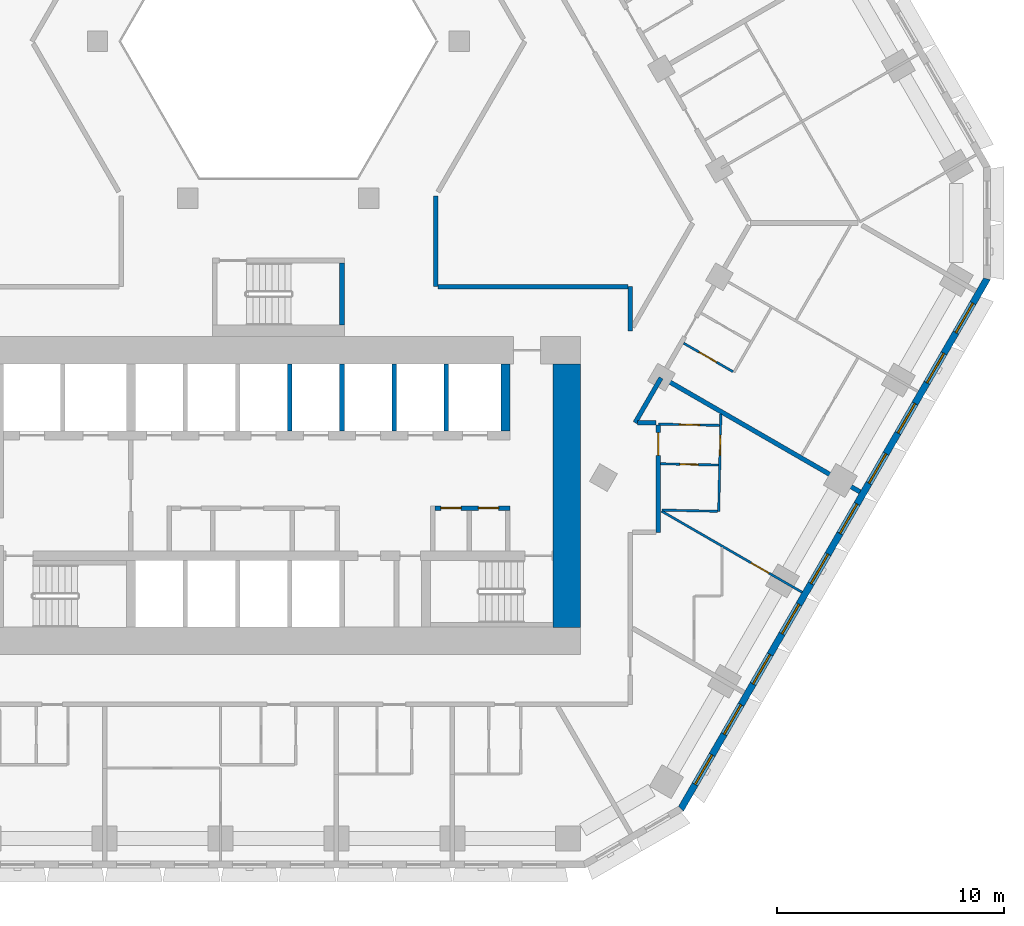
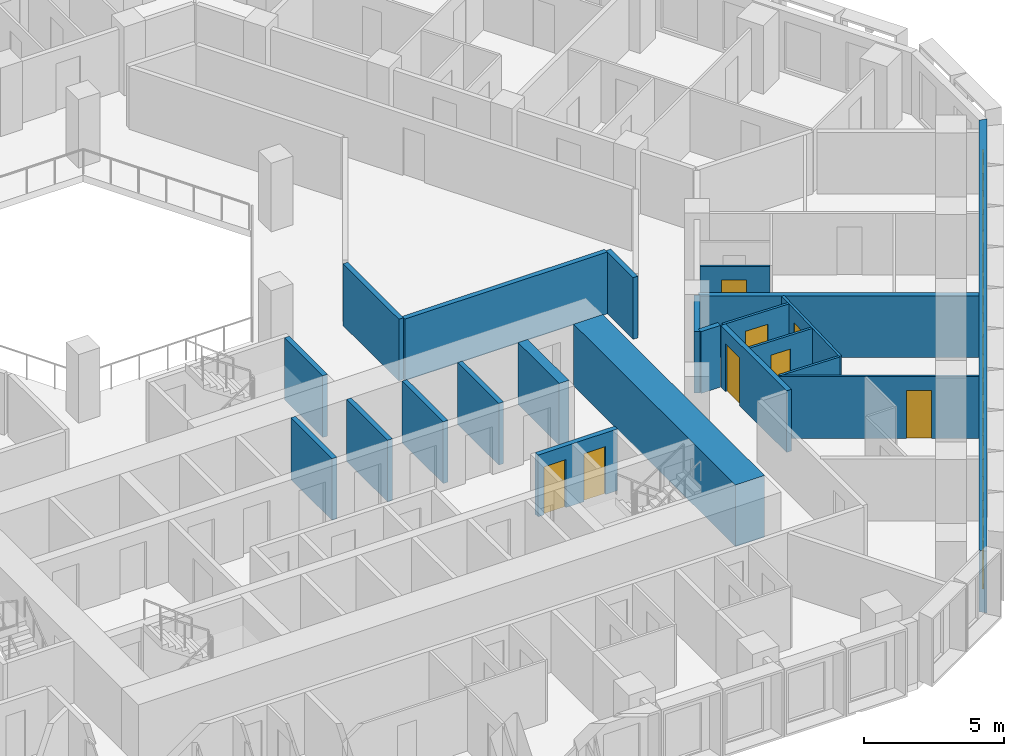
# One storey, part 7 of 21: 22 walls, 10 windows, 8 doors, 18 openings.
"""IFC4 building model written with IfcOpenShell, lengths in metres."""

from ifc_helpers import new_model, si_unit, direction, frame, frame_2d, origin, place, context, subcontext, project, spatial, polyline, rectangle, outline, extrude, material, layer, layer_set, type_object, element, fill, save


model = new_model("IFC4")

# Units and contexts
model_context = context("Model", 3, precision=1e-05, world=origin(), true_north=direction((0.0, 1.0)))
body_context = subcontext(model_context, "Body", "Model", "MODEL_VIEW")
ifc_project = project(units=[si_unit("LENGTHUNIT", "METRE"), si_unit("AREAUNIT", "SQUARE_METRE"), si_unit("VOLUMEUNIT", "CUBIC_METRE"), si_unit("PLANEANGLEUNIT", "RADIAN"), si_unit("MASSUNIT", "GRAM", prefix="KILO")], contexts=[model_context])

# Site, building, storey
site_placement = place(None, origin())
site = spatial("IfcSite", under=ifc_project, at=site_placement, CompositionType="ELEMENT")
building_placement = place(site_placement, origin())
building = spatial("IfcBuilding", under=site, at=building_placement, Name="Beryl Residences", CompositionType="ELEMENT")
storey_placement = place(building_placement, frame((0.0, 0.0, 29.39990234375)))
storey = spatial("IfcBuildingStorey", under=building, at=storey_placement, Name="L08", CompositionType="ELEMENT", Elevation=29.39990234375)

# Wall, openings, windows
ifc_material_1 = material(Name="Composite metal panel with mineral wool insulation")
ifc_layer_1 = layer(ifc_material_1, 0.300048828125)
ifc_layer_set_1 = layer_set([ifc_layer_1], Name="ES1 pale metal composite panel wall 300 mm")
wall_type_1 = type_object("IfcWallType", Name="ES1 pale metal composite panel wall 300 mm", PredefinedType="SOLIDWALL", material=ifc_layer_set_1)
wall_1_placement = place(storey_placement, frame((17.7099609375, -25.824951171875, 0.0), z_axis=(0.0, 0.0, 1.0), x_axis=(0.500001938803, 0.866024284413, 0.0)))
wall_1 = element("IfcWall", 1, at=wall_1_placement, inside=storey, type_object=wall_type_1, Name="ES1 external wall L08 SE", PredefinedType="SOLIDWALL", context=body_context, shape_type="SweptSolid", body=[
    extrude(outline(polyline([(0.0, -0.14990234375), (27.02001953125, -0.14990234375), (26.939697265625, 0.14990234375), (0.080322265625, 0.14990234375), (0.0, -0.14990234375)])), origin(), (0.0, 0.0, 1.0), 2.7001953125),
])
opening_1_placement = place(wall_1_placement, frame((1.277099609375, 0.0, 0.14990234375)))
opening_1 = element("IfcOpeningElement", 2, at=opening_1_placement, cuts=wall_1, Name="Opening W1", PredefinedType="OPENING", context=body_context, shape_type="SweptSolid", body=[
    extrude(rectangle(XDim=1.5, YDim=2.10009765625, at=frame_2d((0.75, 1.050048828125))), frame((0.0, 0.159912109375, 0.0), z_axis=(0.0, -1.0, 0.0), x_axis=(1.0, 0.0, 0.0)), (0.0, 0.0, 1.0), 0.320068359375),
])
opening_2_placement = place(wall_1_placement, frame((3.8291015625, 0.0, 0.14990234375)))
opening_2 = element("IfcOpeningElement", 3, at=opening_2_placement, cuts=wall_1, Name="Opening W1", PredefinedType="OPENING", context=body_context, shape_type="SweptSolid", body=[
    extrude(rectangle(XDim=1.5, YDim=2.10009765625, at=frame_2d((0.75, 1.050048828125))), frame((0.0, 0.159912109375, 0.0), z_axis=(0.0, -1.0, 0.0), x_axis=(1.0, 0.0, 0.0)), (0.0, 0.0, 1.0), 0.320068359375),
])
opening_3_placement = place(wall_1_placement, frame((6.382080078125, 0.0, 0.14990234375)))
opening_3 = element("IfcOpeningElement", 4, at=opening_3_placement, cuts=wall_1, Name="Opening W1", PredefinedType="OPENING", context=body_context, shape_type="SweptSolid", body=[
    extrude(rectangle(XDim=1.5, YDim=2.10009765625, at=frame_2d((0.75, 1.050048828125))), frame((0.0, 0.159912109375, 0.0), z_axis=(0.0, -1.0, 0.0), x_axis=(1.0, 0.0, 0.0)), (0.0, 0.0, 1.0), 0.320068359375),
])
opening_4_placement = place(wall_1_placement, frame((8.93310546875, 0.0, 0.14990234375)))
opening_4 = element("IfcOpeningElement", 5, at=opening_4_placement, cuts=wall_1, Name="Opening W1", PredefinedType="OPENING", context=body_context, shape_type="SweptSolid", body=[
    extrude(rectangle(XDim=1.5, YDim=2.10009765625, at=frame_2d((0.75, 1.050048828125))), frame((0.0, 0.159912109375, 0.0), z_axis=(0.0, -1.0, 0.0), x_axis=(1.0, 0.0, 0.0)), (0.0, 0.0, 1.0), 0.320068359375),
])
opening_5_placement = place(wall_1_placement, frame((11.485107421875, 0.0, 0.14990234375)))
opening_5 = element("IfcOpeningElement", 6, at=opening_5_placement, cuts=wall_1, Name="Opening W1", PredefinedType="OPENING", context=body_context, shape_type="SweptSolid", body=[
    extrude(rectangle(XDim=1.5, YDim=2.10009765625, at=frame_2d((0.75, 1.050048828125))), frame((0.0, 0.159912109375, 0.0), z_axis=(0.0, -1.0, 0.0), x_axis=(1.0, 0.0, 0.0)), (0.0, 0.0, 1.0), 0.320068359375),
])
opening_6_placement = place(wall_1_placement, frame((14.037109375, 0.0, 0.14990234375)))
opening_6 = element("IfcOpeningElement", 7, at=opening_6_placement, cuts=wall_1, Name="Opening W1", PredefinedType="OPENING", context=body_context, shape_type="SweptSolid", body=[
    extrude(rectangle(XDim=1.5, YDim=2.10009765625, at=frame_2d((0.75, 1.050048828125))), frame((0.0, 0.159912109375, 0.0), z_axis=(0.0, -1.0, 0.0), x_axis=(1.0, 0.0, 0.0)), (0.0, 0.0, 1.0), 0.320068359375),
])
opening_7_placement = place(wall_1_placement, frame((16.589111328125, 0.0, 0.14990234375)))
opening_7 = element("IfcOpeningElement", 8, at=opening_7_placement, cuts=wall_1, Name="Opening W1", PredefinedType="OPENING", context=body_context, shape_type="SweptSolid", body=[
    extrude(rectangle(XDim=1.5, YDim=2.10009765625, at=frame_2d((0.75, 1.050048828125))), frame((0.0, 0.159912109375, 0.0), z_axis=(0.0, -1.0, 0.0), x_axis=(1.0, 0.0, 0.0)), (0.0, 0.0, 1.0), 0.320068359375),
])
opening_8_placement = place(wall_1_placement, frame((19.14111328125, 0.0, 0.14990234375)))
opening_8 = element("IfcOpeningElement", 9, at=opening_8_placement, cuts=wall_1, Name="Opening W1", PredefinedType="OPENING", context=body_context, shape_type="SweptSolid", body=[
    extrude(rectangle(XDim=1.5, YDim=2.10009765625, at=frame_2d((0.75, 1.050048828125))), frame((0.0, 0.159912109375, 0.0), z_axis=(0.0, -1.0, 0.0), x_axis=(1.0, 0.0, 0.0)), (0.0, 0.0, 1.0), 0.320068359375),
])
opening_9_placement = place(wall_1_placement, frame((21.693115234375, 0.0, 0.14990234375)))
opening_9 = element("IfcOpeningElement", 10, at=opening_9_placement, cuts=wall_1, Name="Opening W1", PredefinedType="OPENING", context=body_context, shape_type="SweptSolid", body=[
    extrude(rectangle(XDim=1.5, YDim=2.10009765625, at=frame_2d((0.75, 1.050048828125))), frame((0.0, 0.159912109375, 0.0), z_axis=(0.0, -1.0, 0.0), x_axis=(1.0, 0.0, 0.0)), (0.0, 0.0, 1.0), 0.320068359375),
])
opening_10_placement = place(wall_1_placement, frame((24.243896484375, 0.0, 0.14990234375)))
opening_10 = element("IfcOpeningElement", 11, at=opening_10_placement, cuts=wall_1, Name="Opening W1", PredefinedType="OPENING", context=body_context, shape_type="SweptSolid", body=[
    extrude(rectangle(XDim=1.5, YDim=2.10009765625, at=frame_2d((0.75, 1.050048828125))), frame((0.0, 0.159912109375, 0.0), z_axis=(0.0, -1.0, 0.0), x_axis=(1.0, 0.0, 0.0)), (0.0, 0.0, 1.0), 0.320068359375),
])
ifc_material_2 = material(Name="Aluminium and clear glass", Category="aluminium")
window_type = type_object("IfcWindowType", Name="W1 cell window 1500 x 2100 mm", PartitioningType="SINGLE_PANEL", PredefinedType="WINDOW", material=ifc_material_2)
window_1_placement = place(opening_1_placement, origin())
window_1 = element("IfcWindow", 12, at=window_1_placement, inside=storey, type_object=window_type, Name="W1 window L08 SE 1", OverallHeight=2.10009765625, OverallWidth=1.5, PartitioningType="SINGLE_PANEL", PredefinedType="WINDOW", context=body_context, shape_type="SweptSolid", body=[
    extrude(rectangle(XDim=1.5, YDim=2.10009765625, at=frame_2d((0.75, 1.050048828125))), frame((0.0, 0.030029296875, 0.0), z_axis=(0.0, -1.0, 0.0), x_axis=(1.0, 0.0, 0.0)), (0.0, 0.0, 1.0), 0.06005859375),
])
fill(opening_1, window_1)
window_2_placement = place(opening_2_placement, origin())
window_2 = element("IfcWindow", 13, at=window_2_placement, inside=storey, type_object=window_type, Name="W1 window L08 SE 2", OverallHeight=2.10009765625, OverallWidth=1.5, PartitioningType="SINGLE_PANEL", PredefinedType="WINDOW", context=body_context, shape_type="SweptSolid", body=[
    extrude(rectangle(XDim=1.5, YDim=2.10009765625, at=frame_2d((0.75, 1.050048828125))), frame((0.0, 0.030029296875, 0.0), z_axis=(0.0, -1.0, 0.0), x_axis=(1.0, 0.0, 0.0)), (0.0, 0.0, 1.0), 0.06005859375),
])
fill(opening_2, window_2)
window_3_placement = place(opening_3_placement, origin())
window_3 = element("IfcWindow", 14, at=window_3_placement, inside=storey, type_object=window_type, Name="W1 window L08 SE 3", OverallHeight=2.10009765625, OverallWidth=1.5, PartitioningType="SINGLE_PANEL", PredefinedType="WINDOW", context=body_context, shape_type="SweptSolid", body=[
    extrude(rectangle(XDim=1.5, YDim=2.10009765625, at=frame_2d((0.75, 1.050048828125))), frame((0.0, 0.030029296875, 0.0), z_axis=(0.0, -1.0, 0.0), x_axis=(1.0, 0.0, 0.0)), (0.0, 0.0, 1.0), 0.06005859375),
])
fill(opening_3, window_3)
window_4_placement = place(opening_4_placement, origin())
window_4 = element("IfcWindow", 15, at=window_4_placement, inside=storey, type_object=window_type, Name="W1 window L08 SE 4", OverallHeight=2.10009765625, OverallWidth=1.5, PartitioningType="SINGLE_PANEL", PredefinedType="WINDOW", context=body_context, shape_type="SweptSolid", body=[
    extrude(rectangle(XDim=1.5, YDim=2.10009765625, at=frame_2d((0.75, 1.050048828125))), frame((0.0, 0.030029296875, 0.0), z_axis=(0.0, -1.0, 0.0), x_axis=(1.0, 0.0, 0.0)), (0.0, 0.0, 1.0), 0.06005859375),
])
fill(opening_4, window_4)
window_5_placement = place(opening_5_placement, origin())
window_5 = element("IfcWindow", 16, at=window_5_placement, inside=storey, type_object=window_type, Name="W1 window L08 SE 5", OverallHeight=2.10009765625, OverallWidth=1.5, PartitioningType="SINGLE_PANEL", PredefinedType="WINDOW", context=body_context, shape_type="SweptSolid", body=[
    extrude(rectangle(XDim=1.5, YDim=2.10009765625, at=frame_2d((0.75, 1.050048828125))), frame((0.0, 0.030029296875, 0.0), z_axis=(0.0, -1.0, 0.0), x_axis=(1.0, 0.0, 0.0)), (0.0, 0.0, 1.0), 0.06005859375),
])
fill(opening_5, window_5)
window_6_placement = place(opening_6_placement, origin())
window_6 = element("IfcWindow", 17, at=window_6_placement, inside=storey, type_object=window_type, Name="W1 window L08 SE 6", OverallHeight=2.10009765625, OverallWidth=1.5, PartitioningType="SINGLE_PANEL", PredefinedType="WINDOW", context=body_context, shape_type="SweptSolid", body=[
    extrude(rectangle(XDim=1.5, YDim=2.10009765625, at=frame_2d((0.75, 1.050048828125))), frame((0.0, 0.030029296875, 0.0), z_axis=(0.0, -1.0, 0.0), x_axis=(1.0, 0.0, 0.0)), (0.0, 0.0, 1.0), 0.06005859375),
])
fill(opening_6, window_6)
window_7_placement = place(opening_7_placement, origin())
window_7 = element("IfcWindow", 18, at=window_7_placement, inside=storey, type_object=window_type, Name="W1 window L08 SE 7", OverallHeight=2.10009765625, OverallWidth=1.5, PartitioningType="SINGLE_PANEL", PredefinedType="WINDOW", context=body_context, shape_type="SweptSolid", body=[
    extrude(rectangle(XDim=1.5, YDim=2.10009765625, at=frame_2d((0.75, 1.050048828125))), frame((0.0, 0.030029296875, 0.0), z_axis=(0.0, -1.0, 0.0), x_axis=(1.0, 0.0, 0.0)), (0.0, 0.0, 1.0), 0.06005859375),
])
fill(opening_7, window_7)
window_8_placement = place(opening_8_placement, origin())
window_8 = element("IfcWindow", 19, at=window_8_placement, inside=storey, type_object=window_type, Name="W1 window L08 SE 8", OverallHeight=2.10009765625, OverallWidth=1.5, PartitioningType="SINGLE_PANEL", PredefinedType="WINDOW", context=body_context, shape_type="SweptSolid", body=[
    extrude(rectangle(XDim=1.5, YDim=2.10009765625, at=frame_2d((0.75, 1.050048828125))), frame((0.0, 0.030029296875, 0.0), z_axis=(0.0, -1.0, 0.0), x_axis=(1.0, 0.0, 0.0)), (0.0, 0.0, 1.0), 0.06005859375),
])
fill(opening_8, window_8)
window_9_placement = place(opening_9_placement, origin())
window_9 = element("IfcWindow", 20, at=window_9_placement, inside=storey, type_object=window_type, Name="W1 window L08 SE 9", OverallHeight=2.10009765625, OverallWidth=1.5, PartitioningType="SINGLE_PANEL", PredefinedType="WINDOW", context=body_context, shape_type="SweptSolid", body=[
    extrude(rectangle(XDim=1.5, YDim=2.10009765625, at=frame_2d((0.75, 1.050048828125))), frame((0.0, 0.030029296875, 0.0), z_axis=(0.0, -1.0, 0.0), x_axis=(1.0, 0.0, 0.0)), (0.0, 0.0, 1.0), 0.06005859375),
])
fill(opening_9, window_9)
window_10_placement = place(opening_10_placement, origin())
window_10 = element("IfcWindow", 21, at=window_10_placement, inside=storey, type_object=window_type, Name="W1 window L08 SE 10", OverallHeight=2.10009765625, OverallWidth=1.5, PartitioningType="SINGLE_PANEL", PredefinedType="WINDOW", context=body_context, shape_type="SweptSolid", body=[
    extrude(rectangle(XDim=1.5, YDim=2.10009765625, at=frame_2d((0.75, 1.050048828125))), frame((0.0, 0.030029296875, 0.0), z_axis=(0.0, -1.0, 0.0), x_axis=(1.0, 0.0, 0.0)), (0.0, 0.0, 1.0), 0.06005859375),
])
fill(opening_10, window_10)

# Wall, opening, door
ifc_material_3 = material(Name="Gypsum board partition on steel studs", Category="steel")
ifc_layer_2 = layer(ifc_material_3, 0.10009765625)
ifc_layer_set_2 = layer_set([ifc_layer_2], Name="PT1 partition 100 mm gypsum board on steel studs")
wall_type_2 = type_object("IfcWallType", Name="PT1 partition 100 mm gypsum board on steel studs", PredefinedType="PARTITIONING", material=ifc_layer_set_2)
wall_2_placement = place(storey_placement, frame((16.72802734375, -8.85302734375, 0.0), z_axis=(0.0, 0.0, 1.0), x_axis=(0.999759401479, -0.02193488442, 0.0)))
wall_2 = element("IfcWall", 22, at=wall_2_placement, inside=storey, type_object=wall_type_2, Name="Wall PT1 L08 011", PredefinedType="PARTITIONING", context=body_context, shape_type="SweptSolid", body=[
    extrude(rectangle(XDim=2.693603515625, YDim=0.10009765625, at=frame_2d((1.3466796875, 0.0))), origin(), (0.0, 0.0, 1.0), 2.7001953125),
])
opening_11_placement = place(wall_2_placement, frame((0.922119140625, 0.0, 0.0)))
opening_11 = element("IfcOpeningElement", 23, at=opening_11_placement, cuts=wall_2, Name="Opening D0117", PredefinedType="OPENING", context=body_context, shape_type="SweptSolid", body=[
    extrude(rectangle(XDim=0.89990234375, YDim=2.10009765625, at=frame_2d((0.449951171875, 1.050048828125))), frame((0.0, 0.06005859375, 0.0), z_axis=(0.0, -1.0, 0.0), x_axis=(1.0, 0.0, 0.0)), (0.0, 0.0, 1.0), 0.1201171875),
])
ifc_material_4 = material(Name="Timber door leaf", Category="wood")
door_type_1 = type_object("IfcDoorType", Name="D2 room door 900 x 2100 mm", OperationType="SINGLE_SWING_LEFT", PredefinedType="DOOR", material=ifc_material_4)
door_1_placement = place(opening_11_placement, origin())
door_1 = element("IfcDoor", 24, at=door_1_placement, inside=storey, type_object=door_type_1, Name="Door D0117 L08 001", OperationType="SINGLE_SWING_LEFT", OverallHeight=2.10009765625, OverallWidth=0.89990234375, PredefinedType="DOOR", context=body_context, shape_type="SweptSolid", body=[
    extrude(rectangle(XDim=0.89990234375, YDim=2.10009765625, at=frame_2d((0.449951171875, 1.050048828125))), frame((0.0, 0.02490234375, 0.0), z_axis=(0.0, -1.0, 0.0), x_axis=(1.0, 0.0, 0.0)), (0.0, 0.0, 1.0), 0.050048828125),
])
fill(opening_11, door_1)

wall_3_placement = place(storey_placement, frame((16.827880859375, -10.60107421875, 0.0), z_axis=(0.0, 0.0, 1.0), x_axis=(0.999752091799, -0.022265555094, 0.0)))
wall_3 = element("IfcWall", 25, at=wall_3_placement, inside=storey, type_object=wall_type_2, Name="Wall PT1 L08 012", PredefinedType="PARTITIONING", context=body_context, shape_type="SweptSolid", body=[
    extrude(rectangle(XDim=2.554931640625, YDim=0.10009765625, at=frame_2d((1.27734375, 0.0))), origin(), (0.0, 0.0, 1.0), 2.7001953125),
])
opening_12_placement = place(wall_3_placement, frame((0.85302734375, 0.0, 0.0)))
opening_12 = element("IfcOpeningElement", 26, at=opening_12_placement, cuts=wall_3, Name="Opening D0118", PredefinedType="OPENING", context=body_context, shape_type="SweptSolid", body=[
    extrude(rectangle(XDim=0.800048828125, YDim=2.10009765625, at=frame_2d((0.39990234375, 1.050048828125))), frame((0.0, 0.06005859375, 0.0), z_axis=(0.0, -1.0, 0.0), x_axis=(1.0, 0.0, 0.0)), (0.0, 0.0, 1.0), 0.1201171875),
])
ifc_material_5 = material(Name="Timber door leaf", Category="wood")
door_type_2 = type_object("IfcDoorType", Name="D3 bathroom door 800 x 2100 mm", OperationType="SINGLE_SWING_LEFT", PredefinedType="DOOR", material=ifc_material_5)
door_2_placement = place(opening_12_placement, origin())
door_2 = element("IfcDoor", 27, at=door_2_placement, inside=storey, type_object=door_type_2, Name="Door D0118 L08 001", OperationType="SINGLE_SWING_RIGHT", OverallHeight=2.10009765625, OverallWidth=0.800048828125, PredefinedType="DOOR", context=body_context, shape_type="SweptSolid", body=[
    extrude(rectangle(XDim=0.800048828125, YDim=2.10009765625, at=frame_2d((0.39990234375, 1.050048828125))), frame((0.0, 0.02490234375, 0.0), z_axis=(0.0, -1.0, 0.0), x_axis=(1.0, 0.0, 0.0)), (0.0, 0.0, 1.0), 0.050048828125),
])
fill(opening_12, door_2)

# Wall
wall_4_placement = place(storey_placement, frame((16.89208984375, -12.639892578125, 0.0), z_axis=(0.0, 0.0, 1.0), x_axis=(0.999754359069, -0.022163517846, 0.0)))
element("IfcWall", 28, at=wall_4_placement, inside=storey, type_object=wall_type_2, Name="Wall PT1 L08 013", PredefinedType="PARTITIONING", context=body_context, shape_type="SweptSolid", body=[
    extrude(rectangle(XDim=2.4453125, YDim=0.10009765625, at=frame_2d((1.22265625, 0.0))), origin(), (0.0, 0.0, 1.0), 2.7001953125),
])

# Wall, opening, door
wall_5_placement = place(storey_placement, frame((16.8701171875, -12.68603515625, 0.0), z_axis=(0.0, 0.0, 1.0), x_axis=(0.866071826058, -0.499919585642, 0.0)))
wall_5 = element("IfcWall", 29, at=wall_5_placement, inside=storey, type_object=wall_type_2, Name="Wall PT1 L08 016", PredefinedType="PARTITIONING", context=body_context, shape_type="SweptSolid", body=[
    extrude(rectangle(XDim=7.147216796875, YDim=0.10009765625, at=frame_2d((3.57373046875, 0.0))), origin(), (0.0, 0.0, 1.0), 2.7001953125),
])
opening_13_placement = place(wall_5_placement, frame((4.55810546875, 0.0, 0.0)))
opening_13 = element("IfcOpeningElement", 30, at=opening_13_placement, cuts=wall_5, Name="Opening D0120", PredefinedType="OPENING", context=body_context, shape_type="SweptSolid", body=[
    extrude(rectangle(XDim=0.89990234375, YDim=2.10009765625, at=frame_2d((0.449951171875, 1.050048828125))), frame((0.0, 0.06005859375, 0.0), z_axis=(0.0, -1.0, 0.0), x_axis=(1.0, 0.0, 0.0)), (0.0, 0.0, 1.0), 0.1201171875),
])
door_3_placement = place(opening_13_placement, origin())
door_3 = element("IfcDoor", 31, at=door_3_placement, inside=storey, type_object=door_type_1, Name="Door D0120 L08 001", OperationType="SINGLE_SWING_RIGHT", OverallHeight=2.10009765625, OverallWidth=0.89990234375, PredefinedType="DOOR", context=body_context, shape_type="SweptSolid", body=[
    extrude(rectangle(XDim=0.89990234375, YDim=2.10009765625, at=frame_2d((0.449951171875, 1.050048828125))), frame((0.0, 0.02490234375, 0.0), z_axis=(0.0, -1.0, 0.0), x_axis=(1.0, 0.0, 0.0)), (0.0, 0.0, 1.0), 0.050048828125),
])
fill(opening_13, door_3)

wall_6_placement = place(storey_placement, frame((17.843994140625, -5.2919921875, 0.0), z_axis=(0.0, 0.0, 1.0), x_axis=(0.865940918122, -0.500146304917, 0.0)))
wall_6 = element("IfcWall", 32, at=wall_6_placement, inside=storey, type_object=wall_type_2, Name="Wall PT1 L08 018", PredefinedType="PARTITIONING", context=body_context, shape_type="SweptSolid", body=[
    extrude(rectangle(XDim=2.509521484375, YDim=0.10009765625, at=frame_2d((1.2548828125, 0.0))), origin(), (0.0, 0.0, 1.0), 2.7001953125),
])
opening_14_placement = place(wall_6_placement, frame((0.780029296875, 0.0, 0.0)))
opening_14 = element("IfcOpeningElement", 33, at=opening_14_placement, cuts=wall_6, Name="Opening D0123", PredefinedType="OPENING", context=body_context, shape_type="SweptSolid", body=[
    extrude(rectangle(XDim=0.89990234375, YDim=2.10009765625, at=frame_2d((0.449951171875, 1.050048828125))), frame((0.0, 0.06005859375, 0.0), z_axis=(0.0, -1.0, 0.0), x_axis=(1.0, 0.0, 0.0)), (0.0, 0.0, 1.0), 0.1201171875),
])
door_4_placement = place(opening_14_placement, origin())
door_4 = element("IfcDoor", 34, at=door_4_placement, inside=storey, type_object=door_type_1, Name="Door D0123 L08 001", OperationType="SINGLE_SWING_LEFT", OverallHeight=2.10009765625, OverallWidth=0.89990234375, PredefinedType="DOOR", context=body_context, shape_type="SweptSolid", body=[
    extrude(rectangle(XDim=0.89990234375, YDim=2.10009765625, at=frame_2d((0.449951171875, 1.050048828125))), frame((0.0, 0.02490234375, 0.0), z_axis=(0.0, -1.0, 0.0), x_axis=(1.0, 0.0, 0.0)), (0.0, 0.0, 1.0), 0.050048828125),
])
fill(opening_14, door_4)

wall_7_placement = place(storey_placement, frame((19.386962890625, -12.695068359375, 0.0), z_axis=(0.0, 0.0, 1.0), x_axis=(0.022188864436, 0.99975379684, 0.0)))
wall_7 = element("IfcWall", 35, at=wall_7_placement, inside=storey, type_object=wall_type_2, Name="Wall PT1 L08 041", PredefinedType="PARTITIONING", context=body_context, shape_type="SweptSolid", body=[
    extrude(rectangle(XDim=4.280029296875, YDim=0.10009765625, at=frame_2d((2.14013671875, 0.0))), origin(), (0.0, 0.0, 1.0), 2.7001953125),
])
opening_15_placement = place(wall_7_placement, frame((2.4599609375, 0.0, 0.0)))
opening_15 = element("IfcOpeningElement", 36, at=opening_15_placement, cuts=wall_7, Name="Opening D0119", PredefinedType="OPENING", context=body_context, shape_type="SweptSolid", body=[
    extrude(rectangle(XDim=0.89990234375, YDim=2.10009765625, at=frame_2d((0.449951171875, 1.050048828125))), frame((0.0, 0.06005859375, 0.0), z_axis=(0.0, -1.0, 0.0), x_axis=(1.0, 0.0, 0.0)), (0.0, 0.0, 1.0), 0.1201171875),
])
door_5_placement = place(opening_15_placement, origin())
door_5 = element("IfcDoor", 37, at=door_5_placement, inside=storey, type_object=door_type_1, Name="Door D0119 L08 001", OperationType="SINGLE_SWING_LEFT", OverallHeight=2.10009765625, OverallWidth=0.89990234375, PredefinedType="DOOR", context=body_context, shape_type="SweptSolid", body=[
    extrude(rectangle(XDim=0.89990234375, YDim=2.10009765625, at=frame_2d((0.449951171875, 1.050048828125))), frame((0.0, 0.02490234375, 0.0), z_axis=(0.0, -1.0, 0.0), x_axis=(1.0, 0.0, 0.0)), (0.0, 0.0, 1.0), 0.050048828125),
])
fill(opening_15, door_5)

# Wall, openings, doors
ifc_material_6 = material(Name="Concrete masonry", Category="masonry")
ifc_layer_3 = layer(ifc_material_6, 0.199951171875)
ifc_layer_set_3 = layer_set([ifc_layer_3], Name="PT13 lobby wall 200 mm")
wall_type_3 = type_object("IfcWallType", Name="PT13 lobby wall 200 mm", PredefinedType="PARTITIONING", material=ifc_layer_set_3)
wall_8_placement = place(storey_placement, frame((6.89990234375, -12.550048828125, 0.0), z_axis=(0.0, 0.0, 1.0), x_axis=(1.0, 0.0, 0.0)))
wall_8 = element("IfcWall", 38, at=wall_8_placement, inside=storey, type_object=wall_type_3, Name="Lobby wall 24", PredefinedType="PARTITIONING", context=body_context, shape_type="SweptSolid", body=[
    extrude(rectangle(XDim=3.300048828125, YDim=0.199951171875, at=frame_2d((1.64990234375, 0.0))), origin(), (0.0, 0.0, 1.0), 2.7001953125),
])
opening_16_placement = place(wall_8_placement, frame((1.14990234375, 0.0, 0.0), z_axis=(0.0, 0.0, 1.0), x_axis=(-1.0, 0.0, 0.0)))
opening_16 = element("IfcOpeningElement", 39, at=opening_16_placement, cuts=wall_8, Name="Opening CD-D-A4-900", PredefinedType="OPENING", context=body_context, shape_type="SweptSolid", body=[
    extrude(rectangle(XDim=0.89990234375, YDim=2.10009765625, at=frame_2d((0.449951171875, 1.050048828125))), frame((0.0, 0.10986328125, 0.0), z_axis=(0.0, -1.0, 0.0), x_axis=(1.0, 0.0, 0.0)), (0.0, 0.0, 1.0), 0.219970703125),
])
opening_17_placement = place(wall_8_placement, frame((2.7998046875, 0.0, 0.0), z_axis=(0.0, 0.0, 1.0), x_axis=(-1.0, 0.0, 0.0)))
opening_17 = element("IfcOpeningElement", 40, at=opening_17_placement, cuts=wall_8, Name="Opening CD-D-A5-900", PredefinedType="OPENING", context=body_context, shape_type="SweptSolid", body=[
    extrude(rectangle(XDim=0.89990234375, YDim=2.10009765625, at=frame_2d((0.449951171875, 1.050048828125))), frame((0.0, 0.10986328125, 0.0), z_axis=(0.0, -1.0, 0.0), x_axis=(1.0, 0.0, 0.0)), (0.0, 0.0, 1.0), 0.219970703125),
])
ifc_material_7 = material(Name="Steel door leaf in steel frame", Category="steel")
door_type_3 = type_object("IfcDoorType", Name="D6 service room door 900 x 2100 mm", OperationType="SINGLE_SWING_LEFT", PredefinedType="DOOR", material=ifc_material_7)
door_6_placement = place(opening_16_placement, origin())
door_6 = element("IfcDoor", 41, at=door_6_placement, inside=storey, type_object=door_type_3, Name="Door CD-D-A4-900 L08 001", OperationType="SINGLE_SWING_LEFT", OverallHeight=2.10009765625, OverallWidth=0.89990234375, PredefinedType="DOOR", context=body_context, shape_type="SweptSolid", body=[
    extrude(rectangle(XDim=0.89990234375, YDim=2.10009765625, at=frame_2d((0.449951171875, 1.050048828125))), frame((0.0, 0.02490234375, 0.0), z_axis=(0.0, -1.0, 0.0), x_axis=(1.0, 0.0, 0.0)), (0.0, 0.0, 1.0), 0.050048828125),
])
fill(opening_16, door_6)
door_7_placement = place(opening_17_placement, origin())
door_7 = element("IfcDoor", 42, at=door_7_placement, inside=storey, type_object=door_type_3, Name="Door CD-D-A5-900 L08 001", OperationType="SINGLE_SWING_RIGHT", OverallHeight=2.10009765625, OverallWidth=0.89990234375, PredefinedType="DOOR", context=body_context, shape_type="SweptSolid", body=[
    extrude(rectangle(XDim=0.89990234375, YDim=2.10009765625, at=frame_2d((0.449951171875, 1.050048828125))), frame((0.0, 0.02490234375, 0.0), z_axis=(0.0, -1.0, 0.0), x_axis=(1.0, 0.0, 0.0)), (0.0, 0.0, 1.0), 0.050048828125),
])
fill(opening_17, door_7)

# Walls
ifc_material_8 = material(Name="Acoustic double stud gypsum board wall")
ifc_layer_4 = layer(ifc_material_8, 0.199951171875)
ifc_layer_set_4 = layer_set([ifc_layer_4], Name="PT3 party wall 200 mm acoustic double stud")
wall_type_4 = type_object("IfcWallType", Name="PT3 party wall 200 mm acoustic double stud", PredefinedType="PARTITIONING", material=ifc_layer_set_4)
wall_9_placement = place(storey_placement, frame((16.916015625, -6.819091796875, 0.0), z_axis=(0.0, 0.0, 1.0), x_axis=(0.866028876723, -0.499993984646, 0.0)))
element("IfcWall", 43, at=wall_9_placement, inside=storey, type_object=wall_type_4, Name="Wall PT3 L08 012", PredefinedType="PARTITIONING", context=body_context, shape_type="SweptSolid", body=[
    extrude(rectangle(XDim=10.0400390625, YDim=0.199951171875, at=frame_2d((5.02001953125, 0.0))), origin(), (0.0, 0.0, 1.0), 2.7001953125),
])
ifc_material_9 = material(Name="Double stud gypsum board wall")
ifc_layer_5 = layer(ifc_material_9, 0.199951171875)
ifc_layer_set_5 = layer_set([ifc_layer_5], Name="PT4 corridor wall 200 mm double stud")
wall_type_5 = type_object("IfcWallType", Name="PT4 corridor wall 200 mm double stud", PredefinedType="PARTITIONING", material=ifc_layer_set_5)
wall_10_placement = place(storey_placement, frame((15.822021484375, -8.7939453125, 0.0), z_axis=(0.0, 0.0, 1.0), x_axis=(1.0, 0.0, 0.0)))
element("IfcWall", 44, at=wall_10_placement, inside=storey, type_object=wall_type_5, Name="Wall PT4 L08 009", PredefinedType="PARTITIONING", context=body_context, shape_type="SweptSolid", body=[
    extrude(rectangle(XDim=0.805908203125, YDim=0.199951171875, at=frame_2d((0.40283203125, 0.0))), origin(), (0.0, 0.0, 1.0), 2.7001953125),
])
wall_11_placement = place(storey_placement, frame((7.028076171875, -2.800048828125, 0.0), z_axis=(0.0, 0.0, 1.0), x_axis=(1.0, 0.0, 0.0)))
element("IfcWall", 45, at=wall_11_placement, inside=storey, type_object=wall_type_5, Name="Wall PT4 L08 014", PredefinedType="PARTITIONING", context=body_context, shape_type="SweptSolid", body=[
    extrude(rectangle(XDim=8.371826171875, YDim=0.199951171875, at=frame_2d((4.18603515625, 0.0))), origin(), (0.0, 0.0, 1.0), 2.7001953125),
])
wall_12_placement = place(storey_placement, frame((15.70703125, -8.7939453125, 0.0), z_axis=(0.0, 0.0, 1.0), x_axis=(0.500040469623, 0.866002037376, 0.0)))
element("IfcWall", 46, at=wall_12_placement, inside=storey, type_object=wall_type_5, Name="Wall PT4 L08 020", PredefinedType="PARTITIONING", context=body_context, shape_type="SweptSolid", body=[
    extrude(rectangle(XDim=2.281494140625, YDim=0.199951171875, at=frame_2d((1.140625, 0.0))), origin(), (0.0, 0.0, 1.0), 2.7001953125),
])
wall_13_placement = place(storey_placement, frame((6.927978515625, -2.800048828125, 0.0), z_axis=(0.0, 0.0, 1.0), x_axis=(0.0, 1.0, 0.0)))
element("IfcWall", 47, at=wall_13_placement, inside=storey, type_object=wall_type_5, Name="Wall PT4 L08 025", PredefinedType="PARTITIONING", context=body_context, shape_type="SweptSolid", body=[
    extrude(rectangle(XDim=4.0, YDim=0.199951171875, at=frame_2d((2.0, 0.0))), origin(), (0.0, 0.0, 1.0), 2.7001953125),
])
wall_14_placement = place(storey_placement, frame((15.5, -4.751953125, 0.0), z_axis=(0.0, 0.0, 1.0), x_axis=(0.0, 1.0, 0.0)))
element("IfcWall", 48, at=wall_14_placement, inside=storey, type_object=wall_type_5, Name="Wall PT4 L08 027", PredefinedType="PARTITIONING", context=body_context, shape_type="SweptSolid", body=[
    extrude(rectangle(XDim=1.951904296875, YDim=0.199951171875, at=frame_2d((0.97607421875, 0.0))), origin(), (0.0, 0.0, 1.0), 2.7001953125),
])

# Wall, opening, door
wall_15_placement = place(storey_placement, frame((16.72802734375, -13.623046875, 0.0), z_axis=(0.0, 0.0, 1.0), x_axis=(0.0, 1.0, 0.0)))
wall_15 = element("IfcWall", 49, at=wall_15_placement, inside=storey, type_object=wall_type_5, Name="Wall PT4 L08 028", PredefinedType="PARTITIONING", context=body_context, shape_type="SweptSolid", body=[
    extrude(rectangle(XDim=4.719970703125, YDim=0.199951171875, at=frame_2d((2.35986328125, 0.0))), origin(), (0.0, 0.0, 1.0), 2.7001953125),
])
opening_18_placement = place(wall_15_placement, frame((3.39599609375, 0.0, 0.0)))
opening_18 = element("IfcOpeningElement", 50, at=opening_18_placement, cuts=wall_15, Name="Opening D0116", PredefinedType="OPENING", context=body_context, shape_type="SweptSolid", body=[
    extrude(rectangle(XDim=1.0, YDim=2.10009765625, at=frame_2d((0.5, 1.050048828125))), frame((0.0, 0.10986328125, 0.0), z_axis=(0.0, -1.0, 0.0), x_axis=(1.0, 0.0, 0.0)), (0.0, 0.0, 1.0), 0.219970703125),
])
ifc_material_10 = material(Name="Timber door leaf", Category="wood")
door_type_4 = type_object("IfcDoorType", Name="D1 flat entrance door 1000 x 2100 mm", OperationType="SINGLE_SWING_LEFT", PredefinedType="DOOR", material=ifc_material_10)
door_8_placement = place(opening_18_placement, origin())
door_8 = element("IfcDoor", 51, at=door_8_placement, inside=storey, type_object=door_type_4, Name="Door D0116 L08 001", OperationType="SINGLE_SWING_RIGHT", OverallHeight=2.10009765625, OverallWidth=1.0, PredefinedType="DOOR", context=body_context, shape_type="SweptSolid", body=[
    extrude(rectangle(XDim=1.0, YDim=2.10009765625, at=frame_2d((0.5, 1.050048828125))), frame((0.0, 0.02490234375, 0.0), z_axis=(0.0, -1.0, 0.0), x_axis=(1.0, 0.0, 0.0)), (0.0, 0.0, 1.0), 0.050048828125),
])
fill(opening_18, door_8)

# Walls
ifc_material_11 = material(Name="Concrete C40/50", Category="concrete")
ifc_layer_6 = layer(ifc_material_11, 0.199951171875)
ifc_layer_set_6 = layer_set([ifc_layer_6], Name="PT5 stair enclosure wall 200 mm reinforced concrete C40/50")
wall_type_6 = type_object("IfcWallType", Name="PT5 stair enclosure wall 200 mm reinforced concrete C40/50", PredefinedType="SOLIDWALL", material=ifc_layer_set_6)
wall_16_placement = place(storey_placement, frame((2.800048828125, -4.5, 0.0), z_axis=(0.0, 0.0, 1.0), x_axis=(0.0, 1.0, 0.0)))
element("IfcWall", 52, at=wall_16_placement, inside=storey, type_object=wall_type_6, Name="Wall PT5 L08 003", PredefinedType="SOLIDWALL", context=body_context, shape_type="SweptSolid", body=[
    extrude(rectangle(XDim=2.75, YDim=0.199951171875, at=frame_2d((1.375, 0.0))), origin(), (0.0, 0.0, 1.0), 2.7001953125),
])
ifc_material_12 = material(Name="Concrete C40/50", Category="concrete")
ifc_layer_7 = layer(ifc_material_12, 0.199951171875)
ifc_layer_set_7 = layer_set([ifc_layer_7], Name="PT6 lift shaft wall 200 mm reinforced concrete C40/50")
wall_type_7 = type_object("IfcWallType", Name="PT6 lift shaft wall 200 mm reinforced concrete C40/50", PredefinedType="SOLIDWALL", material=ifc_layer_set_7)
for number, where, z_axis, x_axis, name in (
    (53, (0.5, -9.14990234375, 0.0), (0.0, 0.0, 1.0), (0.0, 1.0, 0.0), "Lift shaft wall 15"),
    (54, (2.800048828125, -9.14990234375, 0.0), (0.0, 0.0, 1.0), (0.0, 1.0, 0.0), "Lift shaft wall 19"),
    (55, (5.10009765625, -9.14990234375, 0.0), (0.0, 0.0, 1.0), (0.0, 1.0, 0.0), "Lift shaft wall 20"),
    (56, (7.39990234375, -9.14990234375, 0.0), (0.0, 0.0, 1.0), (0.0, 1.0, 0.0), "Lift shaft wall 25"),
):
    element("IfcWall", number, at=place(storey_placement, frame(where, z_axis=z_axis, x_axis=x_axis)), inside=storey, type_object=wall_type_7, Name=name, PredefinedType="SOLIDWALL", context=body_context, shape_type="SweptSolid", body=[
        extrude(rectangle(XDim=2.949951171875, YDim=0.199951171875, at=frame_2d((1.47509765625, 0.0))), origin(), (0.0, 0.0, 1.0), 2.7001953125),
    ])
ifc_material_13 = material(Name="Concrete C80/95", Category="concrete")
ifc_layer_8 = layer(ifc_material_13, 1.199951171875)
ifc_layer_set_8 = layer_set([ifc_layer_8], Name="SW1 core outer wall 1200 mm C80/95")
wall_type_8 = type_object("IfcWallType", Name="SW1 core outer wall 1200 mm C80/95", PredefinedType="SHEAR", material=ifc_layer_set_8)
wall_17_placement = place(storey_placement, frame((12.699951171875, -17.800048828125, 0.0), z_axis=(0.0, 0.0, 1.0), x_axis=(0.0, 1.0, 0.0)))
element("IfcWall", 57, at=wall_17_placement, inside=storey, type_object=wall_type_8, Name="Core wall E L08", PredefinedType="SHEAR", context=body_context, shape_type="SweptSolid", body=[
    extrude(rectangle(XDim=11.60009765625, YDim=1.199951171875, at=frame_2d((5.800048828125, 0.0))), origin(), (0.0, 0.0, 1.0), 2.7001953125),
])
ifc_material_14 = material(Name="Concrete C80/95", Category="concrete")
ifc_layer_9 = layer(ifc_material_14, 0.39990234375)
ifc_layer_set_9 = layer_set([ifc_layer_9], Name="SW6 core internal wall 400 mm C80/95")
wall_type_9 = type_object("IfcWallType", Name="SW6 core internal wall 400 mm C80/95", PredefinedType="SHEAR", material=ifc_layer_set_9)
wall_18_placement = place(storey_placement, frame((10.0, -9.14990234375, 0.0), z_axis=(0.0, 0.0, 1.0), x_axis=(0.0, 1.0, 0.0)))
element("IfcWall", 58, at=wall_18_placement, inside=storey, type_object=wall_type_9, Name="Core wall XN2 L08", PredefinedType="SHEAR", context=body_context, shape_type="SweptSolid", body=[
    extrude(rectangle(XDim=2.949951171875, YDim=0.39990234375, at=frame_2d((1.47509765625, 0.0))), origin(), (0.0, 0.0, 1.0), 2.7001953125),
])

save(model, "model.ifc")
